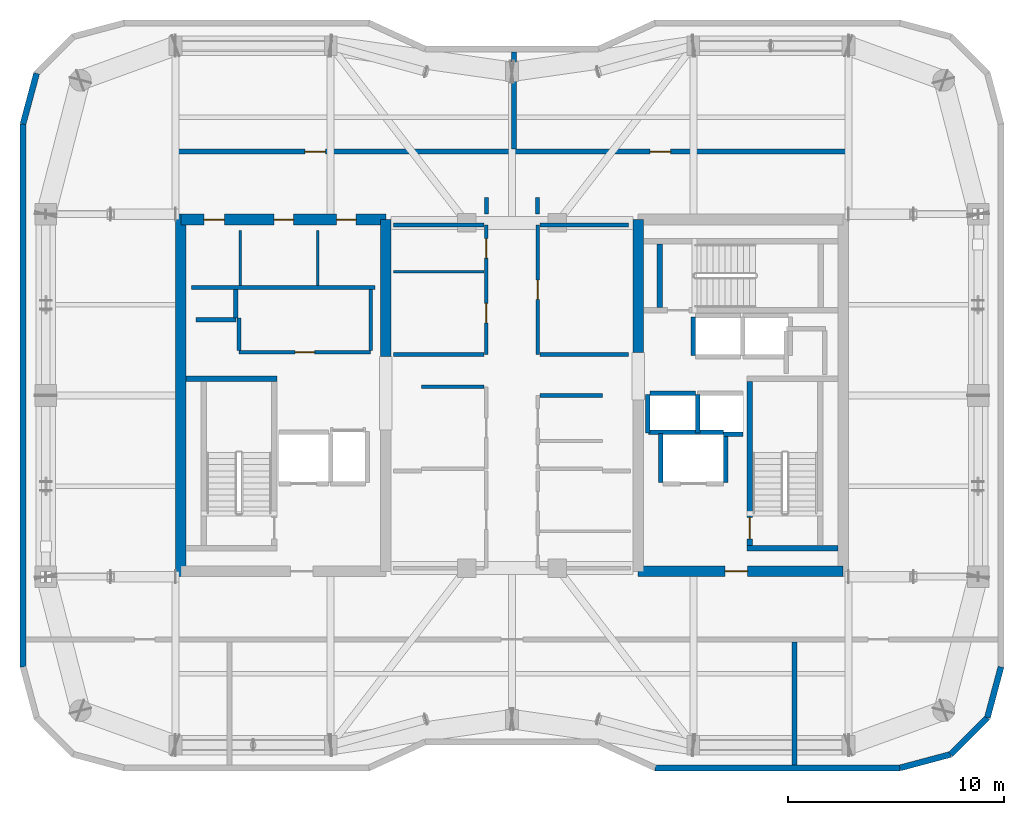
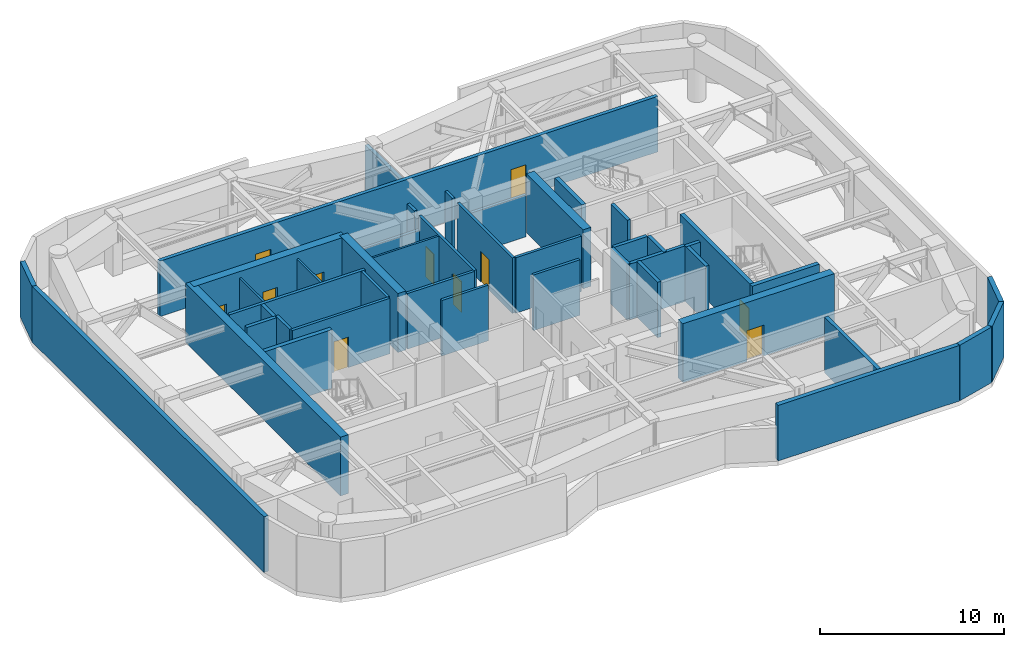
# One storey, part 9 of 11: 45 walls, 11 doors, 11 openings.
"""IFC4 building model written with IfcOpenShell, lengths in metres."""

from ifc_helpers import new_model, si_unit, direction, frame, frame_2d, origin, place, context, subcontext, project, spatial, rectangle, extrude, material, layer, layer_set, type_object, element, fill, save


model = new_model("IFC4")

# Units and contexts
model_context = context("Model", 3, precision=1e-05, world=origin(), true_north=direction((0.0, 1.0)))
body_context = subcontext(model_context, "Body", "Model", "MODEL_VIEW")
ifc_project = project(units=[si_unit("LENGTHUNIT", "METRE"), si_unit("AREAUNIT", "SQUARE_METRE"), si_unit("VOLUMEUNIT", "CUBIC_METRE"), si_unit("PLANEANGLEUNIT", "RADIAN"), si_unit("MASSUNIT", "GRAM", prefix="KILO")], contexts=[model_context])

# Site, building, storey
site_placement = place(None, origin())
site = spatial("IfcSite", under=ifc_project, at=site_placement, CompositionType="ELEMENT")
building_placement = place(site_placement, origin())
building = spatial("IfcBuilding", under=site, at=building_placement, Name="Kiyonajd Concourse Tower", CompositionType="ELEMENT")
storey_placement = place(building_placement, frame((0.0, 0.0, 282.300048828125)))
storey = spatial("IfcBuildingStorey", under=building, at=storey_placement, Name="L71", CompositionType="ELEMENT", Elevation=282.300048828125)

# Walls
ifc_material_1 = material(Name="Concrete C60/75", Category="concrete")
ifc_layer_1 = layer(ifc_material_1, 0.5)
ifc_layer_set_1 = layer_set([ifc_layer_1], Name="Concrete C60/75")
wall_type_1 = type_object("IfcWallType", Name="WL-CORE-500", PredefinedType="SHEAR", material=ifc_layer_set_1)
wall_1_placement = place(storey_placement, frame((32.64990234375, 27.60009765625, 0.0), z_axis=(0.0, 0.0, 1.0), x_axis=(0.0, 1.0, 0.0)))
element("IfcWall", 1, at=wall_1_placement, inside=storey, type_object=wall_type_1, Name="L71 West Core Outer Shear Wall", PredefinedType="SHEAR", context=body_context, shape_type="SweptSolid", body=[
    extrude(rectangle(XDim=16.7998046875, YDim=0.5, at=frame_2d((8.39990234375, 0.0))), origin(), (0.0, 0.0, 1.0), 3.89990234375),
])
wall_2_placement = place(storey_placement, frame((42.14990234375, 37.800048828125, 0.0), z_axis=(0.0, 0.0, 1.0), x_axis=(0.0, 1.0, 0.0)))
element("IfcWall", 2, at=wall_2_placement, inside=storey, type_object=wall_type_1, Name="L71 West Core Inner North Shear Wall", PredefinedType="SHEAR", context=body_context, shape_type="SweptSolid", body=[
    extrude(rectangle(XDim=6.349853515625, YDim=0.5, at=frame_2d((3.1748046875, 0.0))), origin(), (0.0, 0.0, 1.0), 3.89990234375),
])

# Wall, openings, doors
wall_3_placement = place(storey_placement, frame((32.64990234375, 44.14990234375, 0.0), z_axis=(0.0, 0.0, 1.0), x_axis=(1.0, 0.0, 0.0)))
wall_3 = element("IfcWall", 3, at=wall_3_placement, inside=storey, type_object=wall_type_1, Name="L71 West Core North Shear Wall", PredefinedType="SHEAR", context=body_context, shape_type="SweptSolid", body=[
    extrude(rectangle(XDim=9.5, YDim=0.5, at=frame_2d((4.75, 0.0))), origin(), (0.0, 0.0, 1.0), 3.89990234375),
])
opening_1_placement = place(wall_3_placement, frame((1.074951171875, 0.0, 0.0)))
opening_1 = element("IfcOpeningElement", 4, at=opening_1_placement, cuts=wall_3, Name="Opening DI1", PredefinedType="OPENING", context=body_context, shape_type="SweptSolid", body=[
    extrude(rectangle(XDim=0.949951171875, YDim=2.0400390625, at=frame_2d((0.47509765625, 1.02001953125))), frame((0.0, 0.260009765625, 0.0), z_axis=(0.0, -1.0, 0.0), x_axis=(1.0, 0.0, 0.0)), (0.0, 0.0, 1.0), 0.52001953125),
])
opening_2_placement = place(wall_3_placement, frame((4.324951171875, 0.0, 0.0)))
opening_2 = element("IfcOpeningElement", 5, at=opening_2_placement, cuts=wall_3, Name="Opening DI2", PredefinedType="OPENING", context=body_context, shape_type="SweptSolid", body=[
    extrude(rectangle(XDim=0.89990234375, YDim=2.02001953125, at=frame_2d((0.449951171875, 1.010009765625))), frame((0.0, 0.260009765625, 0.0), z_axis=(0.0, -1.0, 0.0), x_axis=(1.0, 0.0, 0.0)), (0.0, 0.0, 1.0), 0.52001953125),
])
opening_3_placement = place(wall_3_placement, frame((7.22509765625, 0.0, 0.0)))
opening_3 = element("IfcOpeningElement", 6, at=opening_3_placement, cuts=wall_3, Name="Opening DI2", PredefinedType="OPENING", context=body_context, shape_type="SweptSolid", body=[
    extrude(rectangle(XDim=0.89990234375, YDim=2.02001953125, at=frame_2d((0.449951171875, 1.010009765625))), frame((0.0, 0.260009765625, 0.0), z_axis=(0.0, -1.0, 0.0), x_axis=(1.0, 0.0, 0.0)), (0.0, 0.0, 1.0), 0.52001953125),
])
ifc_material_2 = material(Name="Natural Oak Acoustic Timber Veneer", Category="wood")
door_type_1 = type_object("IfcDoorType", Name="DR-INT-900", OperationType="NOTDEFINED", PredefinedType="DOOR", material=ifc_material_2)
door_1_placement = place(opening_2_placement, origin())
door_1 = element("IfcDoor", 7, at=door_1_placement, inside=storey, type_object=door_type_1, Name="L71 Male Restroom Door", OperationType="SINGLE_SWING_RIGHT", OverallHeight=2.02001953125, OverallWidth=0.89990234375, PredefinedType="DOOR", context=body_context, shape_type="SweptSolid", body=[
    extrude(rectangle(XDim=0.89990234375, YDim=2.02001953125, at=frame_2d((0.449951171875, 1.010009765625))), frame((0.0, 0.02490234375, 0.0), z_axis=(0.0, -1.0, 0.0), x_axis=(1.0, 0.0, 0.0)), (0.0, 0.0, 1.0), 0.050048828125),
])
fill(opening_2, door_1)
door_2_placement = place(opening_3_placement, origin())
door_2 = element("IfcDoor", 8, at=door_2_placement, inside=storey, type_object=door_type_1, Name="L71 Female Restroom Door", OperationType="SINGLE_SWING_LEFT", OverallHeight=2.02001953125, OverallWidth=0.89990234375, PredefinedType="DOOR", context=body_context, shape_type="SweptSolid", body=[
    extrude(rectangle(XDim=0.89990234375, YDim=2.02001953125, at=frame_2d((0.449951171875, 1.010009765625))), frame((0.0, 0.02490234375, 0.0), z_axis=(0.0, -1.0, 0.0), x_axis=(1.0, 0.0, 0.0)), (0.0, 0.0, 1.0), 0.050048828125),
])
fill(opening_3, door_2)
door_type_2 = type_object("IfcDoorType", Name="DR-INT-950", OperationType="NOTDEFINED", PredefinedType="DOOR", material=ifc_material_2)
door_3_placement = place(opening_1_placement, origin())
door_3 = element("IfcDoor", 9, at=door_3_placement, inside=storey, type_object=door_type_2, Name="L71 Single User Accessible WC Door", OperationType="SINGLE_SWING_LEFT", OverallHeight=2.0400390625, OverallWidth=0.949951171875, PredefinedType="DOOR", context=body_context, shape_type="SweptSolid", body=[
    extrude(rectangle(XDim=0.949951171875, YDim=2.0400390625, at=frame_2d((0.47509765625, 1.02001953125))), frame((0.0, 0.02490234375, 0.0), z_axis=(0.0, -1.0, 0.0), x_axis=(1.0, 0.0, 0.0)), (0.0, 0.0, 1.0), 0.050048828125),
])
fill(opening_1, door_3)

# Wall
wall_4_placement = place(storey_placement, frame((53.85009765625, 38.0, 0.0), z_axis=(0.0, 0.0, 1.0), x_axis=(0.0, 1.0, 0.0)))
element("IfcWall", 10, at=wall_4_placement, inside=storey, type_object=wall_type_1, Name="L71 East Core Inner North Shear Wall", PredefinedType="SHEAR", context=body_context, shape_type="SweptSolid", body=[
    extrude(rectangle(XDim=6.14990234375, YDim=0.5, at=frame_2d((3.074951171875, 0.0))), origin(), (0.0, 0.0, 1.0), 3.89990234375),
])

# Wall, opening, door
wall_5_placement = place(storey_placement, frame((53.85009765625, 27.85009765625, 0.0), z_axis=(0.0, 0.0, 1.0), x_axis=(1.0, 0.0, 0.0)))
wall_5 = element("IfcWall", 11, at=wall_5_placement, inside=storey, type_object=wall_type_1, Name="L71 East Core South Shear Wall", PredefinedType="SHEAR", context=body_context, shape_type="SweptSolid", body=[
    extrude(rectangle(XDim=9.5, YDim=0.5, at=frame_2d((4.75, 0.0))), origin(), (0.0, 0.0, 1.0), 3.89990234375),
])
opening_4_placement = place(wall_5_placement, frame((4.02490234375, 0.0, 0.0)))
opening_4 = element("IfcOpeningElement", 12, at=opening_4_placement, cuts=wall_5, Name="Opening DF5", PredefinedType="OPENING", context=body_context, shape_type="SweptSolid", body=[
    extrude(rectangle(XDim=1.050048828125, YDim=2.0400390625, at=frame_2d((0.52490234375, 1.02001953125))), frame((0.0, 0.260009765625, 0.0), z_axis=(0.0, -1.0, 0.0), x_axis=(1.0, 0.0, 0.0)), (0.0, 0.0, 1.0), 0.52001953125),
])
ifc_material_3 = material(Name="Brushed Stainless Steel Cab Assembly", Category="steel")
door_type_3 = type_object("IfcDoorType", Name="DR-FD45-1050", OperationType="NOTDEFINED", PredefinedType="DOOR", material=ifc_material_3)
door_4_placement = place(opening_4_placement, origin())
door_4 = element("IfcDoor", 13, at=door_4_placement, inside=storey, type_object=door_type_3, Name="L71 Firefighting Lift Lobby E Smoke Door", OperationType="SINGLE_SWING_RIGHT", OverallHeight=2.0400390625, OverallWidth=1.050048828125, PredefinedType="DOOR", context=body_context, shape_type="SweptSolid", body=[
    extrude(rectangle(XDim=1.050048828125, YDim=2.0400390625, at=frame_2d((0.52490234375, 1.02001953125))), frame((0.0, 0.02490234375, 0.0), z_axis=(0.0, -1.0, 0.0), x_axis=(1.0, 0.0, 0.0)), (0.0, 0.0, 1.0), 0.050048828125),
])
fill(opening_4, door_4)

# Walls
ifc_material_4 = material(Name="Precast concrete C50/60", Category="concrete")
ifc_layer_2 = layer(ifc_material_4, 0.280029296875)
ifc_layer_set_2 = layer_set([ifc_layer_2], Name="Precast concrete C50/60")
wall_type_2 = type_object("IfcWallType", Name="WL-EXT-280", PredefinedType="SOLIDWALL", material=ifc_layer_set_2)
wall_6_placement = place(storey_placement, frame((25.340087890625, 23.41845703125, 0.0), z_axis=(0.0, 0.0, 1.0), x_axis=(0.0, 1.0, 0.0)))
element("IfcWall", 14, at=wall_6_placement, inside=storey, type_object=wall_type_2, Name="L71 Exterior Concrete Frame Wall 00", PredefinedType="SOLIDWALL", context=body_context, shape_type="SweptSolid", body=[
    extrude(rectangle(XDim=25.1630859375, YDim=0.280029296875, at=frame_2d((12.58154296875, 0.0))), origin(), (0.0, 0.0, 1.0), 3.679931640625),
])
for number, where, z_axis, x_axis, name in (
    (15, (25.340087890625, 48.58154296875, 0.0), (0.0, 0.0, 1.0), (0.258751159445, 0.965944013639, 0.0), "L71 Exterior Concrete Frame Wall 01"),
    (16, (70.659912109375, 23.41845703125, 0.0), (0.0, 0.0, 1.0), (-0.258751159445, -0.965944013639, 0.0), "L71 Exterior Concrete Frame Wall 13"),
):
    element("IfcWall", number, at=place(storey_placement, frame(where, z_axis=z_axis, x_axis=x_axis)), inside=storey, type_object=wall_type_2, Name=name, PredefinedType="SOLIDWALL", context=body_context, shape_type="SweptSolid", body=[
        extrude(rectangle(XDim=2.4287109375, YDim=0.280029296875, at=frame_2d((1.21435546875, 0.0))), origin(), (0.0, 0.0, 1.0), 3.679931640625),
    ])
wall_7_placement = place(storey_placement, frame((70.031494140625, 21.072509765625, 0.0), z_axis=(0.0, 0.0, 1.0), x_axis=(-0.707106781187, -0.707106781187, 0.0)))
element("IfcWall", 17, at=wall_7_placement, inside=storey, type_object=wall_type_2, Name="L71 Exterior Concrete Frame Wall 14", PredefinedType="SOLIDWALL", context=body_context, shape_type="SweptSolid", body=[
    extrude(rectangle(XDim=2.409912109375, YDim=0.280029296875, at=frame_2d((1.205078125, 0.0))), origin(), (0.0, 0.0, 1.0), 3.679931640625),
])
wall_8_placement = place(storey_placement, frame((68.327392578125, 19.368408203125, 0.0), z_axis=(0.0, 0.0, 1.0), x_axis=(-0.965937282298, -0.25877628691, 0.0)))
element("IfcWall", 18, at=wall_8_placement, inside=storey, type_object=wall_type_2, Name="L71 Exterior Concrete Frame Wall 15", PredefinedType="SOLIDWALL", context=body_context, shape_type="SweptSolid", body=[
    extrude(rectangle(XDim=2.428466796875, YDim=0.280029296875, at=frame_2d((1.21435546875, 0.0))), origin(), (0.0, 0.0, 1.0), 3.679931640625),
])
wall_9_placement = place(storey_placement, frame((65.981689453125, 18.739990234375, 0.0), z_axis=(0.0, 0.0, 1.0), x_axis=(-1.0, 0.0, 0.0)))
element("IfcWall", 19, at=wall_9_placement, inside=storey, type_object=wall_type_2, Name="L71 Exterior Concrete Frame Wall 16", PredefinedType="SOLIDWALL", context=body_context, shape_type="SweptSolid", body=[
    extrude(rectangle(XDim=11.35107421875, YDim=0.280029296875, at=frame_2d((5.675537109375, 0.0))), origin(), (0.0, 0.0, 1.0), 3.679931640625),
])
ifc_material_5 = material(Name="Gypsum Board on Cold-Formed Steel Stud", Category="steel")
ifc_layer_3 = layer(ifc_material_5, 0.22998046875)
ifc_layer_set_3 = layer_set([ifc_layer_3], Name="Gypsum Board on Cold-Formed Steel Stud")
wall_type_3 = type_object("IfcWallType", Name="WL-FIRE-230", PredefinedType="PARTITIONING", material=ifc_layer_set_3)
wall_10_placement = place(storey_placement, frame((61.10009765625, 18.875, 0.0), z_axis=(0.0, 0.0, 1.0), x_axis=(0.0, 1.0, 0.0)))
element("IfcWall", 20, at=wall_10_placement, inside=storey, type_object=wall_type_3, Name="L71 Interior Partition Wall", PredefinedType="PARTITIONING", context=body_context, shape_type="SweptSolid", body=[
    extrude(rectangle(XDim=5.7080078125, YDim=0.22998046875, at=frame_2d((2.85400390625, 0.0))), origin(), (0.0, 0.0, 1.0), 3.679931640625),
])

# Wall, openings, doors
wall_11_placement = place(storey_placement, frame((32.39990234375, 47.300048828125, 0.0), z_axis=(0.0, 0.0, 1.0), x_axis=(1.0, 0.0, 0.0)))
wall_11 = element("IfcWall", 21, at=wall_11_placement, inside=storey, type_object=wall_type_3, Name="L71 Interior Partition Wall", PredefinedType="PARTITIONING", context=body_context, shape_type="SweptSolid", body=[
    extrude(rectangle(XDim=31.2001953125, YDim=0.22998046875, at=frame_2d((15.60009765625, 0.0))), origin(), (0.0, 0.0, 1.0), 3.679931640625),
])
opening_5_placement = place(wall_11_placement, frame((6.0, 0.0, 0.0)))
opening_5 = element("IfcOpeningElement", 22, at=opening_5_placement, cuts=wall_11, Name="Opening DF3", PredefinedType="OPENING", context=body_context, shape_type="SweptSolid", body=[
    extrude(rectangle(XDim=0.949951171875, YDim=2.0400390625, at=frame_2d((0.47509765625, 1.02001953125))), frame((0.0, 0.125, 0.0), z_axis=(0.0, -1.0, 0.0), x_axis=(1.0, 0.0, 0.0)), (0.0, 0.0, 1.0), 0.25),
])
opening_6_placement = place(wall_11_placement, frame((22.0, 0.0, 0.0)))
opening_6 = element("IfcOpeningElement", 23, at=opening_6_placement, cuts=wall_11, Name="Opening DF3", PredefinedType="OPENING", context=body_context, shape_type="SweptSolid", body=[
    extrude(rectangle(XDim=0.949951171875, YDim=2.0400390625, at=frame_2d((0.47509765625, 1.02001953125))), frame((0.0, 0.125, 0.0), z_axis=(0.0, -1.0, 0.0), x_axis=(1.0, 0.0, 0.0)), (0.0, 0.0, 1.0), 0.25),
])
door_type_4 = type_object("IfcDoorType", Name="DR-FD60-950", OperationType="NOTDEFINED", PredefinedType="DOOR", material=ifc_material_3)
door_5_placement = place(opening_5_placement, origin())
door_5 = element("IfcDoor", 24, at=door_5_placement, inside=storey, type_object=door_type_4, Name="L71 Interior Door", OperationType="SINGLE_SWING_LEFT", OverallHeight=2.0400390625, OverallWidth=0.949951171875, PredefinedType="DOOR", context=body_context, shape_type="SweptSolid", body=[
    extrude(rectangle(XDim=0.949951171875, YDim=2.0400390625, at=frame_2d((0.47509765625, 1.02001953125))), frame((0.0, 0.02490234375, 0.0), z_axis=(0.0, -1.0, 0.0), x_axis=(1.0, 0.0, 0.0)), (0.0, 0.0, 1.0), 0.050048828125),
])
fill(opening_5, door_5)
door_6_placement = place(opening_6_placement, origin())
door_6 = element("IfcDoor", 25, at=door_6_placement, inside=storey, type_object=door_type_4, Name="L71 Interior Door", OperationType="SINGLE_SWING_RIGHT", OverallHeight=2.0400390625, OverallWidth=0.949951171875, PredefinedType="DOOR", context=body_context, shape_type="SweptSolid", body=[
    extrude(rectangle(XDim=0.949951171875, YDim=2.0400390625, at=frame_2d((0.47509765625, 1.02001953125))), frame((0.0, 0.02490234375, 0.0), z_axis=(0.0, -1.0, 0.0), x_axis=(1.0, 0.0, 0.0)), (0.0, 0.0, 1.0), 0.050048828125),
])
fill(opening_6, door_6)

# Walls
wall_12_placement = place(storey_placement, frame((48.10009765625, 47.4169921875, 0.0), z_axis=(0.0, 0.0, 1.0), x_axis=(0.0, 1.0, 0.0)))
element("IfcWall", 26, at=wall_12_placement, inside=storey, type_object=wall_type_3, Name="L71 Interior Partition Wall", PredefinedType="PARTITIONING", context=body_context, shape_type="SweptSolid", body=[
    extrude(rectangle(XDim=4.508056640625, YDim=0.22998046875, at=frame_2d((2.25390625, 0.0))), origin(), (0.0, 0.0, 1.0), 3.053955078125),
])
ifc_layer_4 = layer(ifc_material_5, 0.125)
ifc_layer_set_4 = layer_set([ifc_layer_4], Name="Gypsum Board on Cold-Formed Steel Stud")
wall_type_4 = type_object("IfcWallType", Name="WL-PART-125", PredefinedType="PARTITIONING", material=ifc_layer_set_4)
for number, where, z_axis, x_axis, name in (
    (27, (35.39990234375, 41.094970703125, 0.0), (0.0, 0.0, 1.0), (0.0, 1.0, 0.0), "L71 Interior Partition Wall"),
    (28, (39.0, 41.094970703125, 0.0), (0.0, 0.0, 1.0), (0.0, 1.0, 0.0), "L71 Interior Partition Wall"),
):
    element("IfcWall", number, at=place(storey_placement, frame(where, z_axis=z_axis, x_axis=x_axis)), inside=storey, type_object=wall_type_4, Name=name, PredefinedType="PARTITIONING", context=body_context, shape_type="SweptSolid", body=[
        extrude(rectangle(XDim=2.554931640625, YDim=0.125, at=frame_2d((1.27734375, 0.0))), origin(), (0.0, 0.0, 1.0), 3.679931640625),
    ])
wall_13_placement = place(storey_placement, frame((42.5, 41.739990234375, 0.0), z_axis=(0.0, 0.0, 1.0), x_axis=(1.0, 0.0, 0.0)))
element("IfcWall", 29, at=wall_13_placement, inside=storey, type_object=wall_type_4, Name="L71 Interior Partition Wall", PredefinedType="PARTITIONING", context=body_context, shape_type="SweptSolid", body=[
    extrude(rectangle(XDim=4.212890625, YDim=0.125, at=frame_2d((2.1064453125, 0.0))), origin(), (0.0, 0.0, 1.0), 3.679931640625),
])
ifc_layer_5 = layer(ifc_material_5, 0.18994140625)
ifc_layer_set_5 = layer_set([ifc_layer_5], Name="Gypsum Board on Cold-Formed Steel Stud")
wall_type_5 = type_object("IfcWallType", Name="WL-PLMB-190", PredefinedType="PLUMBINGWALL", material=ifc_layer_set_5)
wall_14_placement = place(storey_placement, frame((33.14990234375, 41.0, 0.0), z_axis=(0.0, 0.0, 1.0), x_axis=(1.0, 0.0, 0.0)))
element("IfcWall", 30, at=wall_14_placement, inside=storey, type_object=wall_type_5, Name="L71 Interior Partition Wall", PredefinedType="PLUMBINGWALL", context=body_context, shape_type="SweptSolid", body=[
    extrude(rectangle(XDim=8.5, YDim=0.18994140625, at=frame_2d((4.25, 0.0))), origin(), (0.0, 0.0, 1.0), 3.679931640625),
])
ifc_layer_6 = layer(ifc_material_5, 0.2099609375)
ifc_layer_set_6 = layer_set([ifc_layer_6], Name="Gypsum Board on Cold-Formed Steel Stud")
wall_type_6 = type_object("IfcWallType", Name="WL-SHAFT-210", PredefinedType="PARTITIONING", material=ifc_layer_set_6)
wall_15_placement = place(storey_placement, frame((33.360107421875, 39.5, 0.0), z_axis=(0.0, 0.0, 1.0), x_axis=(1.0, 0.0, 0.0)))
element("IfcWall", 31, at=wall_15_placement, inside=storey, type_object=wall_type_6, Name="L71 Shaft Enclosure Wall", PredefinedType="PARTITIONING", context=body_context, shape_type="SweptSolid", body=[
    extrude(rectangle(XDim=1.85986328125, YDim=0.2099609375, at=frame_2d((0.929931640625, 0.0))), origin(), (0.0, 0.0, 1.0), 3.679931640625),
])
wall_16_placement = place(storey_placement, frame((35.199951171875, 39.580078125, 0.0), z_axis=(0.0, 0.0, 1.0), x_axis=(0.0, 1.0, 0.0)))
element("IfcWall", 32, at=wall_16_placement, inside=storey, type_object=wall_type_6, Name="L71 Shaft Enclosure Wall", PredefinedType="PARTITIONING", context=body_context, shape_type="SweptSolid", body=[
    extrude(rectangle(XDim=1.31982421875, YDim=0.2099609375, at=frame_2d((0.659912109375, 0.0))), origin(), (0.0, 0.0, 1.0), 3.679931640625),
])
wall_17_placement = place(storey_placement, frame((54.320068359375, 34.300048828125, 0.0), z_axis=(0.0, 0.0, 1.0), x_axis=(1.0, 0.0, 0.0)))
element("IfcWall", 33, at=wall_17_placement, inside=storey, type_object=wall_type_6, Name="L71 Shaft Enclosure Wall", PredefinedType="PARTITIONING", context=body_context, shape_type="SweptSolid", body=[
    extrude(rectangle(XDim=3.47998046875, YDim=0.2099609375, at=frame_2d((1.739990234375, 0.0))), origin(), (0.0, 0.0, 1.0), 3.679931640625),
])
for number, where, z_axis, x_axis, name in (
    (34, (54.89990234375, 31.9599609375, 0.0), (0.0, 0.0, 1.0), (0.0, 1.0, 0.0), "L71 Shaft Enclosure Wall"),
    (35, (57.89990234375, 31.9599609375, 0.0), (0.0, 0.0, 1.0), (0.0, 1.0, 0.0), "L71 Shaft Enclosure Wall"),
):
    element("IfcWall", number, at=place(storey_placement, frame(where, z_axis=z_axis, x_axis=x_axis)), inside=storey, type_object=wall_type_6, Name=name, PredefinedType="PARTITIONING", context=body_context, shape_type="SweptSolid", body=[
        extrude(rectangle(XDim=2.280029296875, YDim=0.2099609375, at=frame_2d((1.14013671875, 0.0))), origin(), (0.0, 0.0, 1.0), 3.679931640625),
    ])
wall_18_placement = place(storey_placement, frame((54.39990234375, 36.10009765625, 0.0), z_axis=(0.0, 0.0, 1.0), x_axis=(1.0, 0.0, 0.0)))
element("IfcWall", 36, at=wall_18_placement, inside=storey, type_object=wall_type_6, Name="L71 Shaft Enclosure Wall", PredefinedType="PARTITIONING", context=body_context, shape_type="SweptSolid", body=[
    extrude(rectangle(XDim=2.10009765625, YDim=0.2099609375, at=frame_2d((1.050048828125, 0.0))), origin(), (0.0, 0.0, 1.0), 3.679931640625),
])
for number, where, z_axis, x_axis, name in (
    (37, (54.300048828125, 34.260009765625, 0.0), (0.0, 0.0, 1.0), (0.0, 1.0, 0.0), "L71 Shaft Enclosure Wall"),
    (38, (56.60009765625, 34.260009765625, 0.0), (0.0, 0.0, 1.0), (0.0, 1.0, 0.0), "L71 Shaft Enclosure Wall"),
):
    element("IfcWall", number, at=place(storey_placement, frame(where, z_axis=z_axis, x_axis=x_axis)), inside=storey, type_object=wall_type_6, Name=name, PredefinedType="PARTITIONING", context=body_context, shape_type="SweptSolid", body=[
        extrude(rectangle(XDim=1.780029296875, YDim=0.2099609375, at=frame_2d((0.89013671875, 0.0))), origin(), (0.0, 0.0, 1.0), 3.679931640625),
    ])
wall_19_placement = place(storey_placement, frame((57.800048828125, 34.199951171875, 0.0), z_axis=(0.0, 0.0, 1.0), x_axis=(1.0, 0.0, 0.0)))
element("IfcWall", 39, at=wall_19_placement, inside=storey, type_object=wall_type_6, Name="L71 Shaft Enclosure Wall", PredefinedType="PARTITIONING", context=body_context, shape_type="SweptSolid", body=[
    extrude(rectangle(XDim=0.89990234375, YDim=0.2099609375, at=frame_2d((0.449951171875, 0.0))), origin(), (0.0, 0.0, 1.0), 3.679931640625),
])
wall_20_placement = place(storey_placement, frame((56.39990234375, 37.860107421875, 0.0), z_axis=(0.0, 0.0, 1.0), x_axis=(0.0, 1.0, 0.0)))
element("IfcWall", 40, at=wall_20_placement, inside=storey, type_object=wall_type_6, Name="L71 Shaft Enclosure Wall", PredefinedType="PARTITIONING", context=body_context, shape_type="SweptSolid", body=[
    extrude(rectangle(XDim=1.77978515625, YDim=0.2099609375, at=frame_2d((0.889892578125, 0.0))), origin(), (0.0, 0.0, 1.0), 3.679931640625),
])
ifc_layer_7 = layer(ifc_material_5, 0.169921875)
ifc_layer_set_7 = layer_set([ifc_layer_7], Name="Gypsum Board on Cold-Formed Steel Stud")
wall_type_7 = type_object("IfcWallType", Name="WL-SMK-170", PredefinedType="PARTITIONING", material=ifc_layer_set_7)
for number, where, z_axis, x_axis, name in (
    (41, (46.820068359375, 44.39990234375, 0.0), (0.0, 0.0, 1.0), (0.0, 1.0, 0.0), "L71 Interior Partition Wall"),
    (42, (49.179931640625, 44.39990234375, 0.0), (0.0, 0.0, 1.0), (0.0, 1.0, 0.0), "L71 Interior Partition Wall"),
):
    element("IfcWall", number, at=place(storey_placement, frame(where, z_axis=z_axis, x_axis=x_axis)), inside=storey, type_object=wall_type_7, Name=name, PredefinedType="PARTITIONING", context=body_context, shape_type="SweptSolid", body=[
        extrude(rectangle(XDim=0.780029296875, YDim=0.169921875, at=frame_2d((0.39013671875, 0.0))), origin(), (0.0, 0.0, 1.0), 3.679931640625),
    ])

# Wall, opening, door
wall_21_placement = place(storey_placement, frame((35.35009765625, 38.0, 0.0), z_axis=(0.0, 0.0, 1.0), x_axis=(1.0, 0.0, 0.0)))
wall_21 = element("IfcWall", 43, at=wall_21_placement, inside=storey, type_object=wall_type_7, Name="L71 Interior Partition Wall", PredefinedType="PARTITIONING", context=body_context, shape_type="SweptSolid", body=[
    extrude(rectangle(XDim=6.099853515625, YDim=0.169921875, at=frame_2d((3.0498046875, 0.0))), origin(), (0.0, 0.0, 1.0), 3.679931640625),
])
opening_7_placement = place(wall_21_placement, frame((2.60009765625, 0.0, 0.0)))
opening_7 = element("IfcOpeningElement", 44, at=opening_7_placement, cuts=wall_21, Name="Opening DI2", PredefinedType="OPENING", context=body_context, shape_type="SweptSolid", body=[
    extrude(rectangle(XDim=0.89990234375, YDim=2.02001953125, at=frame_2d((0.449951171875, 1.010009765625))), frame((0.0, 0.094970703125, 0.0), z_axis=(0.0, -1.0, 0.0), x_axis=(1.0, 0.0, 0.0)), (0.0, 0.0, 1.0), 0.18994140625),
])
door_7_placement = place(opening_7_placement, origin())
door_7 = element("IfcDoor", 45, at=door_7_placement, inside=storey, type_object=door_type_1, Name="L71 Interior Door", OperationType="SINGLE_SWING_RIGHT", OverallHeight=2.02001953125, OverallWidth=0.89990234375, PredefinedType="DOOR", context=body_context, shape_type="SweptSolid", body=[
    extrude(rectangle(XDim=0.89990234375, YDim=2.02001953125, at=frame_2d((0.449951171875, 1.010009765625))), frame((0.0, 0.02490234375, 0.0), z_axis=(0.0, -1.0, 0.0), x_axis=(1.0, 0.0, 0.0)), (0.0, 0.0, 1.0), 0.050048828125),
])
fill(opening_7, door_7)

# Walls
wall_22_placement = place(storey_placement, frame((35.35009765625, 38.0869140625, 0.0), z_axis=(0.0, 0.0, 1.0), x_axis=(0.0, 1.0, 0.0)))
element("IfcWall", 46, at=wall_22_placement, inside=storey, type_object=wall_type_7, Name="L71 Interior Partition Wall", PredefinedType="PARTITIONING", context=body_context, shape_type="SweptSolid", body=[
    extrude(rectangle(XDim=1.4931640625, YDim=0.169921875, at=frame_2d((0.74658203125, 0.0))), origin(), (0.0, 0.0, 1.0), 3.679931640625),
])
wall_23_placement = place(storey_placement, frame((41.449951171875, 38.0869140625, 0.0), z_axis=(0.0, 0.0, 1.0), x_axis=(0.0, 1.0, 0.0)))
element("IfcWall", 47, at=wall_23_placement, inside=storey, type_object=wall_type_7, Name="L71 Interior Partition Wall", PredefinedType="PARTITIONING", context=body_context, shape_type="SweptSolid", body=[
    extrude(rectangle(XDim=2.81298828125, YDim=0.169921875, at=frame_2d((1.406494140625, 0.0))), origin(), (0.0, 0.0, 1.0), 3.679931640625),
])
for number, where, z_axis, x_axis, name in (
    (48, (43.800048828125, 36.39990234375, 0.0), (0.0, 0.0, 1.0), (1.0, 0.0, 0.0), "L71 Interior Partition Wall"),
    (49, (49.287109375, 36.0, 0.0), (0.0, 0.0, 1.0), (1.0, 0.0, 0.0), "L71 Interior Partition Wall"),
):
    element("IfcWall", number, at=place(storey_placement, frame(where, z_axis=z_axis, x_axis=x_axis)), inside=storey, type_object=wall_type_7, Name=name, PredefinedType="PARTITIONING", context=body_context, shape_type="SweptSolid", body=[
        extrude(rectangle(XDim=2.912841796875, YDim=0.169921875, at=frame_2d((1.45654296875, 0.0))), origin(), (0.0, 0.0, 1.0), 3.679931640625),
    ])

# Wall, openings, doors
wall_24_placement = place(storey_placement, frame((46.800048828125, 37.89990234375, 0.0), z_axis=(0.0, 0.0, 1.0), x_axis=(0.0, 1.0, 0.0)))
wall_24 = element("IfcWall", 50, at=wall_24_placement, inside=storey, type_object=wall_type_7, Name="L71 Interior Partition Wall", PredefinedType="PARTITIONING", context=body_context, shape_type="SweptSolid", body=[
    extrude(rectangle(XDim=6.0, YDim=0.169921875, at=frame_2d((3.0, 0.0))), origin(), (0.0, 0.0, 1.0), 3.679931640625),
])
opening_8_placement = place(wall_24_placement, frame((1.469970703125, 0.0, 0.0)))
opening_8 = element("IfcOpeningElement", 51, at=opening_8_placement, cuts=wall_24, Name="Opening DF4", PredefinedType="OPENING", context=body_context, shape_type="SweptSolid", body=[
    extrude(rectangle(XDim=0.89990234375, YDim=2.02001953125, at=frame_2d((0.449951171875, 1.010009765625))), frame((0.0, 0.094970703125, 0.0), z_axis=(0.0, -1.0, 0.0), x_axis=(1.0, 0.0, 0.0)), (0.0, 0.0, 1.0), 0.18994140625),
])
opening_9_placement = place(wall_24_placement, frame((4.469970703125, 0.0, 0.0)))
opening_9 = element("IfcOpeningElement", 52, at=opening_9_placement, cuts=wall_24, Name="Opening DF4", PredefinedType="OPENING", context=body_context, shape_type="SweptSolid", body=[
    extrude(rectangle(XDim=0.89990234375, YDim=2.02001953125, at=frame_2d((0.449951171875, 1.010009765625))), frame((0.0, 0.094970703125, 0.0), z_axis=(0.0, -1.0, 0.0), x_axis=(1.0, 0.0, 0.0)), (0.0, 0.0, 1.0), 0.18994140625),
])
door_type_5 = type_object("IfcDoorType", Name="DR-FD60-900", OperationType="NOTDEFINED", PredefinedType="DOOR", material=ifc_material_3)
door_8_placement = place(opening_8_placement, origin())
door_8 = element("IfcDoor", 53, at=door_8_placement, inside=storey, type_object=door_type_5, Name="L71 Interior Door", OperationType="SINGLE_SWING_LEFT", OverallHeight=2.02001953125, OverallWidth=0.89990234375, PredefinedType="DOOR", context=body_context, shape_type="SweptSolid", body=[
    extrude(rectangle(XDim=0.89990234375, YDim=2.02001953125, at=frame_2d((0.449951171875, 1.010009765625))), frame((0.0, 0.02490234375, 0.0), z_axis=(0.0, -1.0, 0.0), x_axis=(1.0, 0.0, 0.0)), (0.0, 0.0, 1.0), 0.050048828125),
])
fill(opening_8, door_8)
door_9_placement = place(opening_9_placement, origin())
door_9 = element("IfcDoor", 54, at=door_9_placement, inside=storey, type_object=door_type_5, Name="L71 Interior Door", OperationType="SINGLE_SWING_RIGHT", OverallHeight=2.02001953125, OverallWidth=0.89990234375, PredefinedType="DOOR", context=body_context, shape_type="SweptSolid", body=[
    extrude(rectangle(XDim=0.89990234375, YDim=2.02001953125, at=frame_2d((0.449951171875, 1.010009765625))), frame((0.0, 0.02490234375, 0.0), z_axis=(0.0, -1.0, 0.0), x_axis=(1.0, 0.0, 0.0)), (0.0, 0.0, 1.0), 0.050048828125),
])
fill(opening_9, door_9)

# Walls
wall_25_placement = place(storey_placement, frame((42.5, 37.89990234375, 0.0), z_axis=(0.0, 0.0, 1.0), x_axis=(1.0, 0.0, 0.0)))
element("IfcWall", 55, at=wall_25_placement, inside=storey, type_object=wall_type_7, Name="L71 Interior Partition Wall", PredefinedType="PARTITIONING", context=body_context, shape_type="SweptSolid", body=[
    extrude(rectangle(XDim=4.212890625, YDim=0.169921875, at=frame_2d((2.1064453125, 0.0))), origin(), (0.0, 0.0, 1.0), 3.679931640625),
])
wall_26_placement = place(storey_placement, frame((42.5, 43.89990234375, 0.0), z_axis=(0.0, 0.0, 1.0), x_axis=(1.0, 0.0, 0.0)))
element("IfcWall", 56, at=wall_26_placement, inside=storey, type_object=wall_type_7, Name="L71 Interior Partition Wall", PredefinedType="PARTITIONING", context=body_context, shape_type="SweptSolid", body=[
    extrude(rectangle(XDim=4.212890625, YDim=0.169921875, at=frame_2d((2.1064453125, 0.0))), origin(), (0.0, 0.0, 1.0), 2.764892578125),
])

# Wall, opening, door
wall_27_placement = place(storey_placement, frame((49.199951171875, 37.89990234375, 0.0), z_axis=(0.0, 0.0, 1.0), x_axis=(0.0, 1.0, 0.0)))
wall_27 = element("IfcWall", 57, at=wall_27_placement, inside=storey, type_object=wall_type_7, Name="L71 Interior Partition Wall", PredefinedType="PARTITIONING", context=body_context, shape_type="SweptSolid", body=[
    extrude(rectangle(XDim=6.0, YDim=0.169921875, at=frame_2d((3.0, 0.0))), origin(), (0.0, 0.0, 1.0), 3.679931640625),
])
opening_10_placement = place(wall_27_placement, frame((2.550048828125, 0.0, 0.0)))
opening_10 = element("IfcOpeningElement", 58, at=opening_10_placement, cuts=wall_27, Name="Opening DI2", PredefinedType="OPENING", context=body_context, shape_type="SweptSolid", body=[
    extrude(rectangle(XDim=0.89990234375, YDim=2.02001953125, at=frame_2d((0.449951171875, 1.010009765625))), frame((0.0, 0.094970703125, 0.0), z_axis=(0.0, -1.0, 0.0), x_axis=(1.0, 0.0, 0.0)), (0.0, 0.0, 1.0), 0.18994140625),
])
door_10_placement = place(opening_10_placement, origin())
door_10 = element("IfcDoor", 59, at=door_10_placement, inside=storey, type_object=door_type_1, Name="L71 Interior Door", OperationType="SINGLE_SWING_LEFT", OverallHeight=2.02001953125, OverallWidth=0.89990234375, PredefinedType="DOOR", context=body_context, shape_type="SweptSolid", body=[
    extrude(rectangle(XDim=0.89990234375, YDim=2.02001953125, at=frame_2d((0.449951171875, 1.010009765625))), frame((0.0, 0.02490234375, 0.0), z_axis=(0.0, -1.0, 0.0), x_axis=(1.0, 0.0, 0.0)), (0.0, 0.0, 1.0), 0.050048828125),
])
fill(opening_10, door_10)

# Walls
wall_28_placement = place(storey_placement, frame((49.287109375, 37.89990234375, 0.0), z_axis=(0.0, 0.0, 1.0), x_axis=(1.0, 0.0, 0.0)))
element("IfcWall", 60, at=wall_28_placement, inside=storey, type_object=wall_type_7, Name="L71 Interior Partition Wall", PredefinedType="PARTITIONING", context=body_context, shape_type="SweptSolid", body=[
    extrude(rectangle(XDim=4.11279296875, YDim=0.169921875, at=frame_2d((2.056396484375, 0.0))), origin(), (0.0, 0.0, 1.0), 3.679931640625),
])
wall_29_placement = place(storey_placement, frame((49.287109375, 43.89990234375, 0.0), z_axis=(0.0, 0.0, 1.0), x_axis=(1.0, 0.0, 0.0)))
element("IfcWall", 61, at=wall_29_placement, inside=storey, type_object=wall_type_7, Name="L71 Interior Partition Wall", PredefinedType="PARTITIONING", context=body_context, shape_type="SweptSolid", body=[
    extrude(rectangle(XDim=4.11279296875, YDim=0.169921875, at=frame_2d((2.056396484375, 0.0))), origin(), (0.0, 0.0, 1.0), 2.764892578125),
])
ifc_material_6 = material(Name="Concrete C50/60", Category="concrete")
ifc_layer_8 = layer(ifc_material_6, 0.260009765625)
ifc_layer_set_8 = layer_set([ifc_layer_8], Name="Concrete C50/60")
wall_type_8 = type_object("IfcWallType", Name="WL-STAIR-260", PredefinedType="SHEAR", material=ifc_layer_set_8)
for number, where, z_axis, x_axis, name in (
    (62, (32.89990234375, 36.780029296875, 0.0), (0.0, 0.0, 1.0), (1.0, 0.0, 0.0), "L71 Stair ST1 Structural North Wall"),
    (63, (58.889892578125, 28.919921875, 0.0), (0.0, 0.0, 1.0), (1.0, 0.0, 0.0), "L71 Stair ST2 Structural South Wall"),
):
    element("IfcWall", number, at=place(storey_placement, frame(where, z_axis=z_axis, x_axis=x_axis)), inside=storey, type_object=wall_type_8, Name=name, PredefinedType="SHEAR", context=body_context, shape_type="SweptSolid", body=[
        extrude(rectangle(XDim=4.210205078125, YDim=0.260009765625, at=frame_2d((2.10498046875, 0.0))), origin(), (0.0, 0.0, 1.0), 3.89990234375),
    ])

# Wall, opening, door
wall_30_placement = place(storey_placement, frame((59.02001953125, 29.050048828125, 0.0), z_axis=(0.0, 0.0, 1.0), x_axis=(0.0, 1.0, 0.0)))
wall_30 = element("IfcWall", 64, at=wall_30_placement, inside=storey, type_object=wall_type_8, Name="L71 Stair ST2 Structural West Wall", PredefinedType="SHEAR", context=body_context, shape_type="SweptSolid", body=[
    extrude(rectangle(XDim=7.599853515625, YDim=0.260009765625, at=frame_2d((3.7998046875, 0.0))), origin(), (0.0, 0.0, 1.0), 3.89990234375),
])
opening_11_placement = place(wall_30_placement, frame((0.300048828125, 0.0, 0.0)))
opening_11 = element("IfcOpeningElement", 65, at=opening_11_placement, cuts=wall_30, Name="Opening DF1", PredefinedType="OPENING", context=body_context, shape_type="SweptSolid", body=[
    extrude(rectangle(XDim=1.0, YDim=2.0400390625, at=frame_2d((0.5, 1.02001953125))), frame((0.0, 0.139892578125, 0.0), z_axis=(0.0, -1.0, 0.0), x_axis=(1.0, 0.0, 0.0)), (0.0, 0.0, 1.0), 0.280029296875),
])
door_type_6 = type_object("IfcDoorType", Name="DR-FD90-1000", OperationType="NOTDEFINED", PredefinedType="DOOR", material=ifc_material_3)
door_11_placement = place(opening_11_placement, origin())
door_11 = element("IfcDoor", 66, at=door_11_placement, inside=storey, type_object=door_type_6, Name="L71 Stair ST2 FSAE Door", OperationType="SINGLE_SWING_RIGHT", OverallHeight=2.0400390625, OverallWidth=1.0, PredefinedType="DOOR", context=body_context, shape_type="SweptSolid", body=[
    extrude(rectangle(XDim=1.0, YDim=2.0400390625, at=frame_2d((0.5, 1.02001953125))), frame((0.0, 0.02490234375, 0.0), z_axis=(0.0, -1.0, 0.0), x_axis=(1.0, 0.0, 0.0)), (0.0, 0.0, 1.0), 0.050048828125),
])
fill(opening_11, door_11)

# Wall
wall_31_placement = place(storey_placement, frame((54.85009765625, 40.080078125, 0.0), z_axis=(0.0, 0.0, 1.0), x_axis=(0.0, 1.0, 0.0)))
element("IfcWall", 67, at=wall_31_placement, inside=storey, type_object=wall_type_8, Name="L71 Stair ST3 Structural West Wall", PredefinedType="SHEAR", context=body_context, shape_type="SweptSolid", body=[
    extrude(rectangle(XDim=2.93994140625, YDim=0.260009765625, at=frame_2d((1.469970703125, 0.0))), origin(), (0.0, 0.0, 1.0), 3.89990234375),
])

save(model, "model.ifc")
